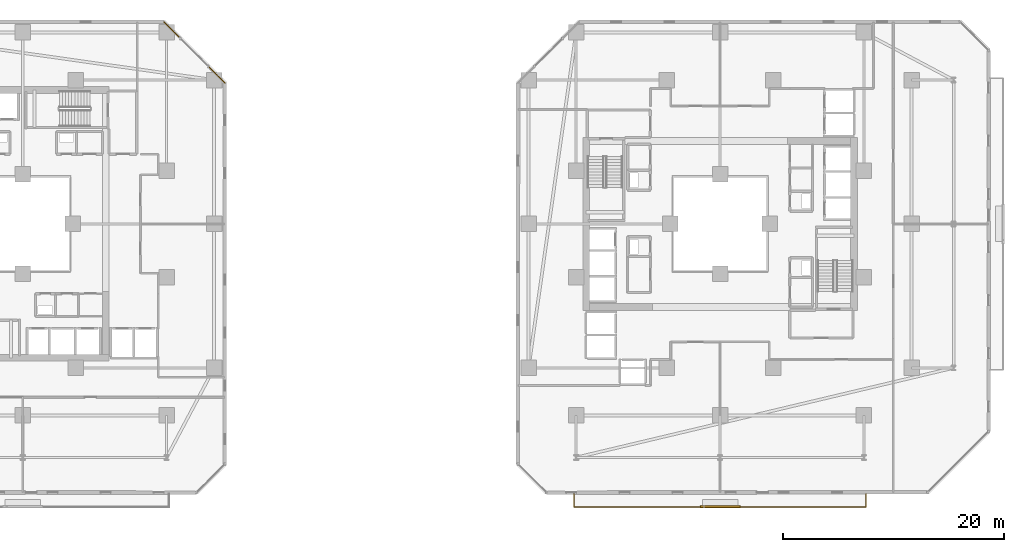
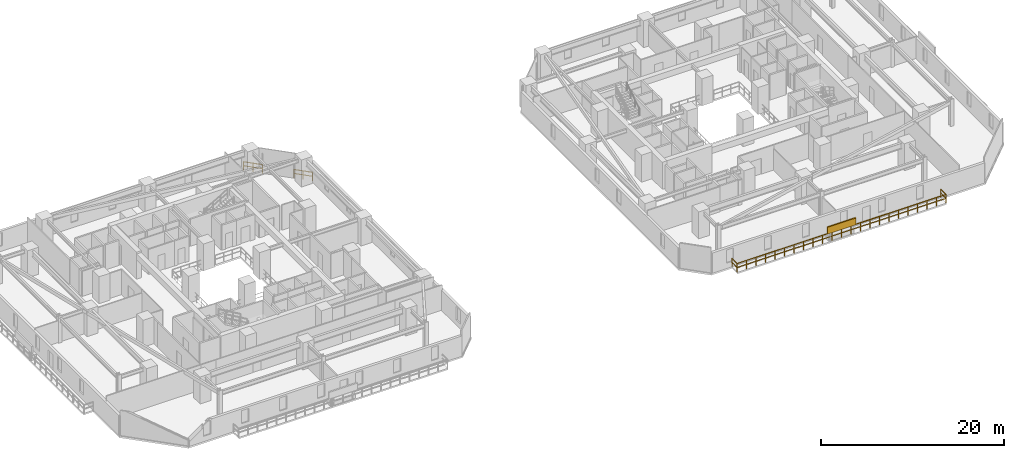
# One storey, part 31 of 33: 3 railings, 1 shading device.
"""IFC4 building model written with IfcOpenShell, lengths in metres."""

from ifc_helpers import new_model, si_unit, direction, frame, origin, origin_2d, place, context, subcontext, project, spatial, rectangle, extrude, material, type_object, element, save


model = new_model("IFC4")

# Units and contexts
model_context = context("Model", 3, precision=1e-05, world=origin(), true_north=direction((0.0, 1.0)))
body_context = subcontext(model_context, "Body", "Model", "MODEL_VIEW")
ifc_project = project(units=[si_unit("LENGTHUNIT", "METRE"), si_unit("AREAUNIT", "SQUARE_METRE"), si_unit("VOLUMEUNIT", "CUBIC_METRE"), si_unit("PLANEANGLEUNIT", "RADIAN"), si_unit("MASSUNIT", "GRAM", prefix="KILO")], contexts=[model_context])

# Site, building, storey
site_placement = place(None, origin())
site = spatial("IfcSite", under=ifc_project, at=site_placement, CompositionType="ELEMENT")
building_placement = place(site_placement, origin())
building = spatial("IfcBuilding", under=site, at=building_placement, Name="Thornwick Lancets Civic Towers", CompositionType="ELEMENT")
storey_placement = place(building_placement, frame((0.0, 0.0, 35.10009765625)))
storey = spatial("IfcBuildingStorey", under=building, at=storey_placement, Name="L08", CompositionType="ELEMENT", Elevation=35.10009765625)

# Railings
ifc_material_1 = material(Name="Terracotta-capped laminated glass balustrade S355", Category="masonry")
railing_type = type_object("IfcRailingType", Name="RAIL_TERR_GUARD", PredefinedType="GUARDRAIL", material=ifc_material_1)
for number, where, name in (
    (1, (43.75537109375, 39.747802734375, 0.0), "L08 Tower A Chamfer Spandrel Guard E3-1"),
    (2, (39.735595703125, 43.767578125, 0.0), "L08 Tower A Chamfer Spandrel Guard E3-2"),
):
    element("IfcRailing", number, at=place(storey_placement, frame(where)), inside=storey, type_object=railing_type, Name=name, PredefinedType="GUARDRAIL", context=body_context, shape_type="SweptSolid", body=[
        extrude(rectangle(XDim=0.048095703125, YDim=0.048095703125, at=origin_2d()), frame((0.0, 0.0, 1.1259765625), z_axis=(-0.707106781187, 0.707106781187, 0.0), x_axis=(-0.707106781187, -0.707106781187, 0.0)), (0.0, 0.0, 1.0), 2.10400390625),
        extrude(rectangle(XDim=0.0419921875, YDim=0.0419921875, at=origin_2d()), frame((-0.026611328125, 0.026611328125, 0.597900390625), z_axis=(-0.707106781187, 0.707106781187, 0.0), x_axis=(-0.707106781187, -0.707106781187, 0.0)), (0.0, 0.0, 1.0), 0.97705078125),
        extrude(rectangle(XDim=0.0419921875, YDim=0.0419921875, at=origin_2d()), frame((-0.7705078125, 0.7705078125, 0.597900390625), z_axis=(-0.707106781187, 0.707106781187, 0.0), x_axis=(-0.707106781187, -0.707106781187, 0.0)), (0.0, 0.0, 1.0), 0.97705078125),
        extrude(rectangle(XDim=0.0419921875, YDim=0.0419921875, at=origin_2d()), origin(), (0.0, 0.0, 1.0), 1.095703125),
        extrude(rectangle(XDim=0.0419921875, YDim=0.0419921875, at=origin_2d()), frame((-0.743896484375, 0.743896484375, 0.0)), (0.0, 0.0, 1.0), 1.095703125),
        extrude(rectangle(XDim=0.0419921875, YDim=0.0419921875, at=origin_2d()), frame((-1.48779296875, 1.48779296875, 0.0)), (0.0, 0.0, 1.0), 1.095703125),
    ])
railing_placement = place(storey_placement, frame((75.300048828125, 2.60009765625, 0.0)))
element("IfcRailing", 3, at=railing_placement, inside=storey, type_object=railing_type, Name="L08 Tower B Balcony Guard S", PredefinedType="GUARDRAIL", context=body_context, shape_type="SweptSolid", body=[
    extrude(rectangle(XDim=0.048095703125, YDim=0.048095703125, at=origin_2d()), frame((0.0, 0.0, 1.1259765625), z_axis=(0.0, -1.0, 0.0), x_axis=(1.0, 0.0, 0.0)), (0.0, 0.0, 1.0), 1.138916015625),
    extrude(rectangle(XDim=0.0419921875, YDim=0.0419921875, at=origin_2d()), frame((0.0, -0.03759765625, 0.597900390625), z_axis=(0.0, -1.0, 0.0), x_axis=(1.0, 0.0, 0.0)), (0.0, 0.0, 1.0), 1.09521484375),
    extrude(rectangle(XDim=0.048095703125, YDim=0.048095703125, at=origin_2d()), frame((0.03125, -1.170166015625, 1.1259765625), z_axis=(1.0, 0.0, 0.0), x_axis=(0.0, 1.0, 0.0)), (0.0, 0.0, 1.0), 26.33740234375),
    extrude(rectangle(XDim=0.0419921875, YDim=0.0419921875, at=origin_2d()), frame((0.03759765625, -1.170166015625, 0.597900390625), z_axis=(1.0, 0.0, 0.0), x_axis=(0.0, 1.0, 0.0)), (0.0, 0.0, 1.0), 1.125),
    extrude(rectangle(XDim=0.0419921875, YDim=0.0419921875, at=origin_2d()), frame((1.237548828125, -1.170166015625, 0.597900390625), z_axis=(1.0, 0.0, 0.0), x_axis=(0.0, 1.0, 0.0)), (0.0, 0.0, 1.0), 1.125),
    extrude(rectangle(XDim=0.0419921875, YDim=0.0419921875, at=origin_2d()), frame((2.4375, -1.170166015625, 0.597900390625), z_axis=(1.0, 0.0, 0.0), x_axis=(0.0, 1.0, 0.0)), (0.0, 0.0, 1.0), 1.125),
    extrude(rectangle(XDim=0.0419921875, YDim=0.0419921875, at=origin_2d()), frame((3.637451171875, -1.170166015625, 0.597900390625), z_axis=(1.0, 0.0, 0.0), x_axis=(0.0, 1.0, 0.0)), (0.0, 0.0, 1.0), 1.125),
    extrude(rectangle(XDim=0.0419921875, YDim=0.0419921875, at=origin_2d()), frame((4.83740234375, -1.170166015625, 0.597900390625), z_axis=(1.0, 0.0, 0.0), x_axis=(0.0, 1.0, 0.0)), (0.0, 0.0, 1.0), 1.125),
    extrude(rectangle(XDim=0.0419921875, YDim=0.0419921875, at=origin_2d()), frame((6.037353515625, -1.170166015625, 0.597900390625), z_axis=(1.0, 0.0, 0.0), x_axis=(0.0, 1.0, 0.0)), (0.0, 0.0, 1.0), 1.125),
    extrude(rectangle(XDim=0.0419921875, YDim=0.0419921875, at=origin_2d()), frame((7.237548828125, -1.170166015625, 0.597900390625), z_axis=(1.0, 0.0, 0.0), x_axis=(0.0, 1.0, 0.0)), (0.0, 0.0, 1.0), 1.125),
    extrude(rectangle(XDim=0.0419921875, YDim=0.0419921875, at=origin_2d()), frame((8.4375, -1.170166015625, 0.597900390625), z_axis=(1.0, 0.0, 0.0), x_axis=(0.0, 1.0, 0.0)), (0.0, 0.0, 1.0), 1.125),
    extrude(rectangle(XDim=0.0419921875, YDim=0.0419921875, at=origin_2d()), frame((9.637451171875, -1.170166015625, 0.597900390625), z_axis=(1.0, 0.0, 0.0), x_axis=(0.0, 1.0, 0.0)), (0.0, 0.0, 1.0), 1.125),
    extrude(rectangle(XDim=0.0419921875, YDim=0.0419921875, at=origin_2d()), frame((10.83740234375, -1.170166015625, 0.597900390625), z_axis=(1.0, 0.0, 0.0), x_axis=(0.0, 1.0, 0.0)), (0.0, 0.0, 1.0), 1.125),
    extrude(rectangle(XDim=0.0419921875, YDim=0.0419921875, at=origin_2d()), frame((12.037353515625, -1.170166015625, 0.597900390625), z_axis=(1.0, 0.0, 0.0), x_axis=(0.0, 1.0, 0.0)), (0.0, 0.0, 1.0), 1.125),
    extrude(rectangle(XDim=0.0419921875, YDim=0.0419921875, at=origin_2d()), frame((13.237548828125, -1.170166015625, 0.597900390625), z_axis=(1.0, 0.0, 0.0), x_axis=(0.0, 1.0, 0.0)), (0.0, 0.0, 1.0), 1.125),
    extrude(rectangle(XDim=0.0419921875, YDim=0.0419921875, at=origin_2d()), frame((14.4375, -1.170166015625, 0.597900390625), z_axis=(1.0, 0.0, 0.0), x_axis=(0.0, 1.0, 0.0)), (0.0, 0.0, 1.0), 1.125),
    extrude(rectangle(XDim=0.0419921875, YDim=0.0419921875, at=origin_2d()), frame((15.637451171875, -1.170166015625, 0.597900390625), z_axis=(1.0, 0.0, 0.0), x_axis=(0.0, 1.0, 0.0)), (0.0, 0.0, 1.0), 1.125),
    extrude(rectangle(XDim=0.0419921875, YDim=0.0419921875, at=origin_2d()), frame((16.83740234375, -1.170166015625, 0.597900390625), z_axis=(1.0, 0.0, 0.0), x_axis=(0.0, 1.0, 0.0)), (0.0, 0.0, 1.0), 1.125),
    extrude(rectangle(XDim=0.0419921875, YDim=0.0419921875, at=origin_2d()), frame((18.037353515625, -1.170166015625, 0.597900390625), z_axis=(1.0, 0.0, 0.0), x_axis=(0.0, 1.0, 0.0)), (0.0, 0.0, 1.0), 1.125),
    extrude(rectangle(XDim=0.0419921875, YDim=0.0419921875, at=origin_2d()), frame((19.2373046875, -1.170166015625, 0.597900390625), z_axis=(1.0, 0.0, 0.0), x_axis=(0.0, 1.0, 0.0)), (0.0, 0.0, 1.0), 1.125),
    extrude(rectangle(XDim=0.0419921875, YDim=0.0419921875, at=origin_2d()), frame((20.4375, -1.170166015625, 0.597900390625), z_axis=(1.0, 0.0, 0.0), x_axis=(0.0, 1.0, 0.0)), (0.0, 0.0, 1.0), 1.125),
    extrude(rectangle(XDim=0.0419921875, YDim=0.0419921875, at=origin_2d()), frame((21.637451171875, -1.170166015625, 0.597900390625), z_axis=(1.0, 0.0, 0.0), x_axis=(0.0, 1.0, 0.0)), (0.0, 0.0, 1.0), 1.125),
    extrude(rectangle(XDim=0.0419921875, YDim=0.0419921875, at=origin_2d()), frame((22.83740234375, -1.170166015625, 0.597900390625), z_axis=(1.0, 0.0, 0.0), x_axis=(0.0, 1.0, 0.0)), (0.0, 0.0, 1.0), 1.125),
    extrude(rectangle(XDim=0.0419921875, YDim=0.0419921875, at=origin_2d()), frame((24.037353515625, -1.170166015625, 0.597900390625), z_axis=(1.0, 0.0, 0.0), x_axis=(0.0, 1.0, 0.0)), (0.0, 0.0, 1.0), 1.125),
    extrude(rectangle(XDim=0.0419921875, YDim=0.0419921875, at=origin_2d()), frame((25.2373046875, -1.170166015625, 0.597900390625), z_axis=(1.0, 0.0, 0.0), x_axis=(0.0, 1.0, 0.0)), (0.0, 0.0, 1.0), 1.125),
    extrude(rectangle(XDim=0.048095703125, YDim=0.048095703125, at=origin_2d()), frame((26.39990234375, -1.138916015625, 1.1259765625), z_axis=(0.0, 1.0, 0.0), x_axis=(-1.0, 0.0, 0.0)), (0.0, 0.0, 1.0), 1.138916015625),
    extrude(rectangle(XDim=0.0419921875, YDim=0.0419921875, at=origin_2d()), frame((26.39990234375, -1.132568359375, 0.597900390625), z_axis=(0.0, 1.0, 0.0), x_axis=(-1.0, 0.0, 0.0)), (0.0, 0.0, 1.0), 1.09521484375),
    extrude(rectangle(XDim=0.0419921875, YDim=0.0419921875, at=origin_2d()), origin(), (0.0, 0.0, 1.0), 1.095703125),
    extrude(rectangle(XDim=0.0419921875, YDim=0.0419921875, at=origin_2d()), frame((0.0, -1.170166015625, 0.0)), (0.0, 0.0, 1.0), 1.095703125),
    extrude(rectangle(XDim=0.0419921875, YDim=0.0419921875, at=origin_2d()), frame((1.199951171875, -1.170166015625, 0.0)), (0.0, 0.0, 1.0), 1.095703125),
    extrude(rectangle(XDim=0.0419921875, YDim=0.0419921875, at=origin_2d()), frame((2.39990234375, -1.170166015625, 0.0)), (0.0, 0.0, 1.0), 1.095703125),
    extrude(rectangle(XDim=0.0419921875, YDim=0.0419921875, at=origin_2d()), frame((3.60009765625, -1.170166015625, 0.0)), (0.0, 0.0, 1.0), 1.095703125),
    extrude(rectangle(XDim=0.0419921875, YDim=0.0419921875, at=origin_2d()), frame((4.800048828125, -1.170166015625, 0.0)), (0.0, 0.0, 1.0), 1.095703125),
    extrude(rectangle(XDim=0.0419921875, YDim=0.0419921875, at=origin_2d()), frame((6.0, -1.170166015625, 0.0)), (0.0, 0.0, 1.0), 1.095703125),
    extrude(rectangle(XDim=0.0419921875, YDim=0.0419921875, at=origin_2d()), frame((7.199951171875, -1.170166015625, 0.0)), (0.0, 0.0, 1.0), 1.095703125),
    extrude(rectangle(XDim=0.0419921875, YDim=0.0419921875, at=origin_2d()), frame((8.39990234375, -1.170166015625, 0.0)), (0.0, 0.0, 1.0), 1.095703125),
    extrude(rectangle(XDim=0.0419921875, YDim=0.0419921875, at=origin_2d()), frame((9.599853515625, -1.170166015625, 0.0)), (0.0, 0.0, 1.0), 1.095703125),
    extrude(rectangle(XDim=0.0419921875, YDim=0.0419921875, at=origin_2d()), frame((10.800048828125, -1.170166015625, 0.0)), (0.0, 0.0, 1.0), 1.095703125),
    extrude(rectangle(XDim=0.0419921875, YDim=0.0419921875, at=origin_2d()), frame((12.0, -1.170166015625, 0.0)), (0.0, 0.0, 1.0), 1.095703125),
    extrude(rectangle(XDim=0.0419921875, YDim=0.0419921875, at=origin_2d()), frame((13.199951171875, -1.170166015625, 0.0)), (0.0, 0.0, 1.0), 1.095703125),
    extrude(rectangle(XDim=0.0419921875, YDim=0.0419921875, at=origin_2d()), frame((14.39990234375, -1.170166015625, 0.0)), (0.0, 0.0, 1.0), 1.095703125),
    extrude(rectangle(XDim=0.0419921875, YDim=0.0419921875, at=origin_2d()), frame((15.599853515625, -1.170166015625, 0.0)), (0.0, 0.0, 1.0), 1.095703125),
    extrude(rectangle(XDim=0.0419921875, YDim=0.0419921875, at=origin_2d()), frame((16.800048828125, -1.170166015625, 0.0)), (0.0, 0.0, 1.0), 1.095703125),
    extrude(rectangle(XDim=0.0419921875, YDim=0.0419921875, at=origin_2d()), frame((18.0, -1.170166015625, 0.0)), (0.0, 0.0, 1.0), 1.095703125),
    extrude(rectangle(XDim=0.0419921875, YDim=0.0419921875, at=origin_2d()), frame((19.199951171875, -1.170166015625, 0.0)), (0.0, 0.0, 1.0), 1.095703125),
    extrude(rectangle(XDim=0.0419921875, YDim=0.0419921875, at=origin_2d()), frame((20.39990234375, -1.170166015625, 0.0)), (0.0, 0.0, 1.0), 1.095703125),
    extrude(rectangle(XDim=0.0419921875, YDim=0.0419921875, at=origin_2d()), frame((21.599853515625, -1.170166015625, 0.0)), (0.0, 0.0, 1.0), 1.095703125),
    extrude(rectangle(XDim=0.0419921875, YDim=0.0419921875, at=origin_2d()), frame((22.7998046875, -1.170166015625, 0.0)), (0.0, 0.0, 1.0), 1.095703125),
    extrude(rectangle(XDim=0.0419921875, YDim=0.0419921875, at=origin_2d()), frame((24.0, -1.170166015625, 0.0)), (0.0, 0.0, 1.0), 1.095703125),
    extrude(rectangle(XDim=0.0419921875, YDim=0.0419921875, at=origin_2d()), frame((25.199951171875, -1.170166015625, 0.0)), (0.0, 0.0, 1.0), 1.095703125),
    extrude(rectangle(XDim=0.0419921875, YDim=0.0419921875, at=origin_2d()), frame((26.39990234375, -1.170166015625, 0.0)), (0.0, 0.0, 1.0), 1.095703125),
    extrude(rectangle(XDim=0.0419921875, YDim=0.0419921875, at=origin_2d()), frame((26.39990234375, 0.0, 0.0)), (0.0, 0.0, 1.0), 1.095703125),
])

# Shading device
ifc_material_2 = material(Name="Extruded terracotta baguette solar screen", Category="masonry")
shading_device_type = type_object("IfcShadingDeviceType", Name="SHADE_BAGUETTE", PredefinedType="JALOUSIE", material=ifc_material_2)
shading_device_placement = place(storey_placement, frame((88.5, 1.43994140625, 1.119873046875), z_axis=(0.0, 0.0, 1.0), x_axis=(1.0, 0.0, 0.0)))
element("IfcShadingDevice", 4, at=shading_device_placement, inside=storey, type_object=shading_device_type, Name="L08 Tower B Terracotta Baguette Screen S", PredefinedType="JALOUSIE", context=body_context, shape_type="SweptSolid", body=[
    extrude(rectangle(XDim=3.60009765625, YDim=0.179931640625, at=origin_2d()), origin(), (0.0, 0.0, 1.0), 0.89990234375),
])

save(model, "model.ifc")
